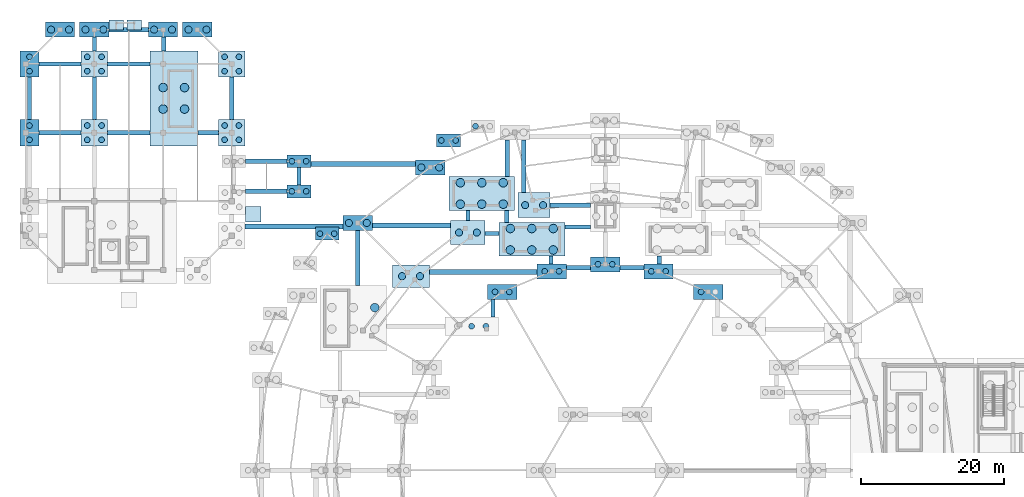
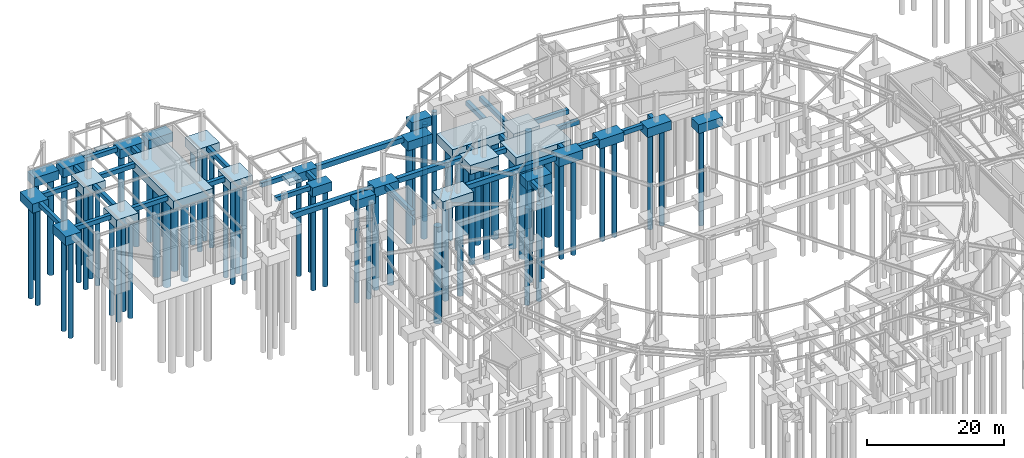
# One storey, part 4 of 55: 75 piles, 61 footings.
"""IFC4 building model written with IfcOpenShell, lengths in metres."""

from ifc_helpers import new_model, si_unit, direction, frame, origin, origin_2d, place, context, subcontext, project, spatial, rectangle, circle, extrude, material, material_profile, profile_set, type_object, element, save


model = new_model("IFC4")

# Units and contexts
model_context = context("Model", 3, precision=1e-05, world=origin(), true_north=direction((0.0, 1.0)))
body_context = subcontext(model_context, "Body", "Model", "MODEL_VIEW")
ifc_project = project(units=[si_unit("LENGTHUNIT", "METRE"), si_unit("AREAUNIT", "SQUARE_METRE"), si_unit("VOLUMEUNIT", "CUBIC_METRE"), si_unit("PLANEANGLEUNIT", "RADIAN"), si_unit("MASSUNIT", "GRAM", prefix="KILO")], contexts=[model_context])

# Site, building, storey
site_placement = place(None, origin())
site = spatial("IfcSite", under=ifc_project, at=site_placement, CompositionType="ELEMENT")
building_placement = place(site_placement, origin())
building = spatial("IfcBuilding", under=site, at=building_placement, Name="Almandine Court Research Institute", CompositionType="ELEMENT")
storey_placement = place(building_placement, frame((0.0, 0.0, -5.25)))
storey = spatial("IfcBuildingStorey", under=building, at=storey_placement, Name="B1", CompositionType="ELEMENT", Elevation=-5.25)

# Footings
ifc_material = material(Name="Concrete C35/45", Category="concrete")
footing_type_1 = type_object("IfcFootingType", Name="Cap-PC-05", PredefinedType="PILE_CAP", material=ifc_material)
for number, where, z_axis, x_axis, name in (
    (1, (44.199951171875, 95.0, -1.60009765625), (0.0, 0.0, 1.0), (1.0, 0.0, 0.0), "Reinforced Concrete Pile Cap 137"),
    (2, (44.199951171875, 99.199951171875, -1.60009765625), (0.0, 0.0, 1.0), (1.0, 0.0, 0.0), "Reinforced Concrete Pile Cap 141"),
):
    element("IfcFooting", number, at=place(storey_placement, frame(where, z_axis=z_axis, x_axis=x_axis)), inside=storey, type_object=footing_type_1, Name=name, PredefinedType="PILE_CAP", context=body_context, shape_type="SweptSolid", body=[
        extrude(rectangle(XDim=3.300048828125, YDim=1.800048828125, at=origin_2d()), origin(), (0.0, 0.0, 1.0), 1.60009765625),
    ])
footing_type_2 = type_object("IfcFootingType", Name="Cap-PC-18", PredefinedType="PILE_CAP", material=ifc_material)
for number, where, z_axis, x_axis, name in (
    (3, (72.60009765625, 80.94189453125, -1.60009765625), (0.0, 0.0, 1.0), (1.0, 0.0, 0.0), "Reinforced Concrete Pile Cap 108"),
    (4, (101.39990234375, 80.94189453125, -1.60009765625), (0.0, 0.0, 1.0), (1.0, 0.0, 0.0), "Reinforced Concrete Pile Cap 109"),
    (5, (79.5458984375, 83.819091796875, -1.60009765625), (0.0, 0.0, 1.0), (1.0, 0.0, 0.0), "Reinforced Concrete Pile Cap 116"),
    (6, (94.4541015625, 83.819091796875, -1.60009765625), (0.0, 0.0, 1.0), (1.0, 0.0, 0.0), "Reinforced Concrete Pile Cap 117"),
    (7, (87.0, 84.800048828125, -1.60009765625), (0.0, 0.0, 1.0), (1.0, 0.0, 0.0), "Reinforced Concrete Pile Cap 118"),
):
    element("IfcFooting", number, at=place(storey_placement, frame(where, z_axis=z_axis, x_axis=x_axis)), inside=storey, type_object=footing_type_2, Name=name, PredefinedType="PILE_CAP", context=body_context, shape_type="SweptSolid", body=[
        extrude(rectangle(XDim=4.10009765625, YDim=2.10009765625, at=origin_2d()), origin(), (0.0, 0.0, 1.0), 1.60009765625),
    ])
footing_type_3 = type_object("IfcFootingType", Name="Cap-PC-27", PredefinedType="PILE_CAP", material=ifc_material)
for number, where, z_axis, x_axis, name in (
    (8, (52.422119140625, 90.577880859375, -1.60009765625), (0.0, 0.0, 1.0), (1.0, 0.0, 0.0), "Reinforced Concrete Pile Cap 126"),
    (9, (62.550048828125, 98.34912109375, -1.60009765625), (0.0, 0.0, 1.0), (1.0, 0.0, 0.0), "Reinforced Concrete Pile Cap 138"),
    (10, (10.800048828125, 117.60009765625, -1.60009765625), (0.0, 0.0, 1.0), (1.0, 0.0, 0.0), "Reinforced Concrete Pile Cap 159"),
    (11, (15.60009765625, 117.60009765625, -1.60009765625), (0.0, 0.0, 1.0), (1.0, 0.0, 0.0), "Reinforced Concrete Pile Cap 160"),
    (12, (25.199951171875, 117.60009765625, -1.60009765625), (0.0, 0.0, 1.0), (1.0, 0.0, 0.0), "Reinforced Concrete Pile Cap 161"),
    (13, (30.0, 117.60009765625, -1.60009765625), (0.0, 0.0, 1.0), (1.0, 0.0, 0.0), "Reinforced Concrete Pile Cap 162"),
):
    element("IfcFooting", number, at=place(storey_placement, frame(where, z_axis=z_axis, x_axis=x_axis)), inside=storey, type_object=footing_type_3, Name=name, PredefinedType="PILE_CAP", context=body_context, shape_type="SweptSolid", body=[
        extrude(rectangle(XDim=4.10009765625, YDim=2.10009765625, at=origin_2d()), origin(), (0.0, 0.0, 1.0), 1.60009765625),
    ])
footing_type_4 = type_object("IfcFootingType", Name="Cap-PC-28", PredefinedType="PILE_CAP", material=ifc_material)
for number, where, z_axis, x_axis, name in (
    (14, (15.60009765625, 103.199951171875, -1.60009765625), (0.0, 0.0, 1.0), (1.0, 0.0, 0.0), "Reinforced Concrete Pile Cap 144"),
    (15, (34.800048828125, 103.199951171875, -1.60009765625), (0.0, 0.0, 1.0), (1.0, 0.0, 0.0), "Reinforced Concrete Pile Cap 146"),
    (16, (15.60009765625, 112.800048828125, -1.60009765625), (0.0, 0.0, 1.0), (1.0, 0.0, 0.0), "Reinforced Concrete Pile Cap 154"),
    (17, (34.800048828125, 112.800048828125, -1.60009765625), (0.0, 0.0, 1.0), (1.0, 0.0, 0.0), "Reinforced Concrete Pile Cap 155"),
):
    element("IfcFooting", number, at=place(storey_placement, frame(where, z_axis=z_axis, x_axis=x_axis)), inside=storey, type_object=footing_type_4, Name=name, PredefinedType="PILE_CAP", context=body_context, shape_type="SweptSolid", body=[
        extrude(rectangle(XDim=3.699951171875, YDim=3.699951171875, at=origin_2d()), origin(), (0.0, 0.0, 1.0), 1.60009765625),
    ])
footing_type_5 = type_object("IfcFootingType", Name="Cap-PC-33", PredefinedType="PILE_CAP", material=ifc_material)
footing_1_placement = place(storey_placement, frame((59.864013671875, 83.135009765625, -1.60009765625), z_axis=(0.0, 0.0, 1.0), x_axis=(1.0, 0.0, 0.0)))
element("IfcFooting", 18, at=footing_1_placement, inside=storey, type_object=footing_type_5, Name="Reinforced Concrete Pile Cap 110", PredefinedType="PILE_CAP", context=body_context, shape_type="SweptSolid", body=[
    extrude(rectangle(XDim=5.125, YDim=3.125, at=origin_2d()), origin(), (0.0, 0.0, 1.0), 1.60009765625),
])
footing_type_6 = type_object("IfcFootingType", Name="Cap-PC-35", PredefinedType="PILE_CAP", material=ifc_material)
for number, where, z_axis, x_axis, name in (
    (19, (76.75, 88.300048828125, -1.60009765625), (0.0, 0.0, 1.0), (1.0, 0.0, 0.0), "Reinforced Concrete Pile Cap 119"),
    (20, (69.75, 94.699951171875, -1.60009765625), (0.0, 0.0, 1.0), (1.0, 0.0, 0.0), "Reinforced Concrete Pile Cap 132"),
):
    element("IfcFooting", number, at=place(storey_placement, frame(where, z_axis=z_axis, x_axis=x_axis)), inside=storey, type_object=footing_type_6, Name=name, PredefinedType="PILE_CAP", context=body_context, shape_type="SweptSolid", body=[
        extrude(rectangle(XDim=9.199951171875, YDim=4.699951171875, at=origin_2d()), origin(), (0.0, 0.0, 1.0), 1.60009765625),
    ])
footing_type_7 = type_object("IfcFootingType", Name="Cap-PC-36", PredefinedType="PILE_CAP", material=ifc_material)
for number, where, z_axis, x_axis, name in (
    (21, (6.52490234375, 103.199951171875, -1.60009765625), (0.0, 0.0, 1.0), (1.0, 0.0, 0.0), "Reinforced Concrete Pile Cap 143"),
    (22, (6.52490234375, 112.800048828125, -1.60009765625), (0.0, 0.0, 1.0), (1.0, 0.0, 0.0), "Reinforced Concrete Pile Cap 153"),
):
    element("IfcFooting", number, at=place(storey_placement, frame(where, z_axis=z_axis, x_axis=x_axis)), inside=storey, type_object=footing_type_7, Name=name, PredefinedType="PILE_CAP", context=body_context, shape_type="SweptSolid", body=[
        extrude(rectangle(XDim=2.64990234375, YDim=3.699951171875, at=origin_2d()), origin(), (0.0, 0.0, 1.0), 1.60009765625),
    ])
footing_type_8 = type_object("IfcFootingType", Name="Cap-PC-37", PredefinedType="PILE_CAP", material=ifc_material)
footing_2_placement = place(storey_placement, frame((67.81201171875, 89.23388671875, -1.60009765625), z_axis=(0.0, 0.0, 1.0), x_axis=(1.0, 0.0, 0.0)))
element("IfcFooting", 23, at=footing_2_placement, inside=storey, type_object=footing_type_8, Name="Reinforced Concrete Pile Cap 123", PredefinedType="PILE_CAP", context=body_context, shape_type="SweptSolid", body=[
    extrude(rectangle(XDim=4.824951171875, YDim=3.35595703125, at=origin_2d()), origin(), (0.0, 0.0, 1.0), 1.60009765625),
])
footing_type_9 = type_object("IfcFootingType", Name="Cap-PC-39", PredefinedType="PILE_CAP", material=ifc_material)
footing_3_placement = place(storey_placement, frame((77.06689453125, 93.06689453125, -1.60009765625), z_axis=(0.0, 0.0, 1.0), x_axis=(1.0, 0.0, 0.0)))
element("IfcFooting", 24, at=footing_3_placement, inside=storey, type_object=footing_type_9, Name="Reinforced Concrete Pile Cap 128", PredefinedType="PILE_CAP", context=body_context, shape_type="SweptSolid", body=[
    extrude(rectangle(XDim=4.47509765625, YDim=3.5009765625, at=origin_2d()), origin(), (0.0, 0.0, 1.0), 1.60009765625),
])
footing_type_10 = type_object("IfcFootingType", Name="Cap-PC-42", PredefinedType="PILE_CAP", material=ifc_material)
footing_4_placement = place(storey_placement, frame((26.699951171875, 108.0, -1.60009765625), z_axis=(0.0, 0.0, 1.0), x_axis=(1.0, 0.0, 0.0)))
element("IfcFooting", 25, at=footing_4_placement, inside=storey, type_object=footing_type_10, Name="Reinforced Concrete Pile Cap 145", PredefinedType="PILE_CAP", context=body_context, shape_type="SweptSolid", body=[
    extrude(rectangle(XDim=6.699951171875, YDim=13.300048828125, at=origin_2d()), origin(), (0.0, 0.0, 1.0), 1.60009765625),
])
footing_type_11 = type_object("IfcFootingType", Name="Cap-PC-S01", PredefinedType="PILE_CAP", material=ifc_material)
for number, where, z_axis, x_axis, name in (
    (26, (65.10302734375, 102.114990234375, -1.60009765625), (0.0, 0.0, 1.0), (1.0, 0.0, 0.0), "Supplemental Threshold Pile Cap 020"),
    (27, (48.123046875, 89.0869140625, -1.60009765625), (0.0, 0.0, 1.0), (1.0, 0.0, 0.0), "Supplemental Threshold Pile Cap 021"),
):
    element("IfcFooting", number, at=place(storey_placement, frame(where, z_axis=z_axis, x_axis=x_axis)), inside=storey, type_object=footing_type_11, Name=name, PredefinedType="PILE_CAP", context=body_context, shape_type="SweptSolid", body=[
        extrude(rectangle(XDim=3.300048828125, YDim=1.800048828125, at=origin_2d()), origin(), (0.0, 0.0, 1.0), 1.60009765625),
    ])
footing_type_12 = type_object("IfcFootingType", Name="Pad-PF1", PredefinedType="PAD_FOOTING", material=ifc_material)
footing_5_placement = place(storey_placement, frame((37.800048828125, 91.800048828125, 4.5), z_axis=(0.0, 0.0, 1.0), x_axis=(1.0, 0.0, 0.0)))
element("IfcFooting", 28, at=footing_5_placement, inside=storey, type_object=footing_type_12, Name="Accessible Ramp Base Pad Footing 4", PredefinedType="PAD_FOOTING", context=body_context, shape_type="SweptSolid", body=[
    extrude(rectangle(XDim=2.199951171875, YDim=2.199951171875, at=origin_2d()), origin(), (0.0, 0.0, 1.0), 0.60009765625),
])
for number, where, z_axis, x_axis, name in (
    (29, (18.64990234375, 118.25, -0.60009765625), (0.0, 0.0, 1.0), (1.0, 0.0, 0.0), "Reinforced Concrete Pad Footing PAD-V3-N2-C1"),
    (30, (21.14990234375, 118.25, -0.60009765625), (0.0, 0.0, 1.0), (1.0, 0.0, 0.0), "Reinforced Concrete Pad Footing PAD-V3-N2-C2"),
):
    element("IfcFooting", number, at=place(storey_placement, frame(where, z_axis=z_axis, x_axis=x_axis)), inside=storey, type_object=footing_type_12, Name=name, PredefinedType="PAD_FOOTING", context=body_context, shape_type="SweptSolid", body=[
        extrude(rectangle(XDim=2.0, YDim=1.39990234375, at=origin_2d()), origin(), (0.0, 0.0, 1.0), 0.60009765625),
    ])

# Piles
ifc_material_profile_1 = material_profile(ifc_material, circle(Radius=0.5, at=origin_2d()), Name="BORED PILE D1000")
ifc_profile_set_1 = profile_set([ifc_material_profile_1], Name="Concrete C35/45")
pile_type_1 = type_object("IfcPileType", Name="Pile-BP-1000", PredefinedType="BORED", material=ifc_profile_set_1)
for number, where, z_axis, x_axis, name in (
    (31, (58.614013671875, 83.135009765625, -1.5), (0.0, 0.0, -1.0), (1.0, 0.0, 0.0), "Bored Pile 110-1"),
    (32, (61.114013671875, 83.135009765625, -1.5), (0.0, 0.0, -1.0), (1.0, 0.0, 0.0), "Bored Pile 110-2"),
    (33, (66.56201171875, 89.23388671875, -1.5), (0.0, 0.0, -1.0), (1.0, 0.0, 0.0), "Bored Pile 123-1"),
    (34, (69.06201171875, 89.23388671875, -1.5), (0.0, 0.0, -1.0), (1.0, 0.0, 0.0), "Bored Pile 123-2"),
    (35, (51.172119140625, 90.577880859375, -1.5), (0.0, 0.0, -1.0), (1.0, 0.0, 0.0), "Bored Pile 126-1"),
    (36, (53.672119140625, 90.577880859375, -1.5), (0.0, 0.0, -1.0), (1.0, 0.0, 0.0), "Bored Pile 126-2"),
    (37, (75.81689453125, 93.06689453125, -1.5), (0.0, 0.0, -1.0), (1.0, 0.0, 0.0), "Bored Pile 128-1"),
    (38, (78.31689453125, 93.06689453125, -1.5), (0.0, 0.0, -1.0), (1.0, 0.0, 0.0), "Bored Pile 128-2"),
    (39, (61.300048828125, 98.34912109375, -1.5), (0.0, 0.0, -1.0), (1.0, 0.0, 0.0), "Bored Pile 138-1"),
    (40, (63.800048828125, 98.34912109375, -1.5), (0.0, 0.0, -1.0), (1.0, 0.0, 0.0), "Bored Pile 138-2"),
    (41, (9.550048828125, 117.60009765625, -1.5), (0.0, 0.0, -1.0), (1.0, 0.0, 0.0), "Bored Pile 159-1"),
    (42, (12.050048828125, 117.60009765625, -1.5), (0.0, 0.0, -1.0), (1.0, 0.0, 0.0), "Bored Pile 159-2"),
    (43, (14.35009765625, 117.60009765625, -1.5), (0.0, 0.0, -1.0), (1.0, 0.0, 0.0), "Bored Pile 160-1"),
    (44, (16.85009765625, 117.60009765625, -1.5), (0.0, 0.0, -1.0), (1.0, 0.0, 0.0), "Bored Pile 160-2"),
    (45, (23.949951171875, 117.60009765625, -1.5), (0.0, 0.0, -1.0), (1.0, 0.0, 0.0), "Bored Pile 161-1"),
    (46, (26.449951171875, 117.60009765625, -1.5), (0.0, 0.0, -1.0), (1.0, 0.0, 0.0), "Bored Pile 161-2"),
    (47, (28.75, 117.60009765625, -1.5), (0.0, 0.0, -1.0), (1.0, 0.0, 0.0), "Bored Pile 162-1"),
    (48, (31.25, 117.60009765625, -1.5), (0.0, 0.0, -1.0), (1.0, 0.0, 0.0), "Bored Pile 162-2"),
):
    element("IfcPile", number, at=place(storey_placement, frame(where, z_axis=z_axis, x_axis=x_axis)), inside=storey, type_object=pile_type_1, Name=name, PredefinedType="BORED", context=body_context, shape_type="SweptSolid", body=[
        extrude(circle(Radius=0.5, at=origin_2d()), origin(), (0.0, 0.0, 1.0), 17.25),
    ])
ifc_material_profile_2 = material_profile(ifc_material, circle(Radius=0.60009765625, at=origin_2d()), Name="BORED PILE D1200")
ifc_profile_set_2 = profile_set([ifc_material_profile_2], Name="Concrete C35/45")
pile_type_2 = type_object("IfcPileType", Name="Pile-BP-1200", PredefinedType="BORED", material=ifc_profile_set_2)
for number, where, z_axis, x_axis, name in (
    (49, (54.797119140625, 78.75, -1.5), (0.0, 0.0, -1.0), (1.0, 0.0, 0.0), "Bored Pile 101-6"),
    (50, (73.75, 86.800048828125, -1.5), (0.0, 0.0, -1.0), (1.0, 0.0, 0.0), "Bored Pile 119-1"),
    (51, (73.75, 89.800048828125, -1.5), (0.0, 0.0, -1.0), (1.0, 0.0, 0.0), "Bored Pile 119-2"),
    (52, (76.75, 86.800048828125, -1.5), (0.0, 0.0, -1.0), (1.0, 0.0, 0.0), "Bored Pile 119-3"),
    (53, (76.75, 89.800048828125, -1.5), (0.0, 0.0, -1.0), (1.0, 0.0, 0.0), "Bored Pile 119-4"),
    (54, (79.75, 86.800048828125, -1.5), (0.0, 0.0, -1.0), (1.0, 0.0, 0.0), "Bored Pile 119-5"),
    (55, (79.75, 89.800048828125, -1.5), (0.0, 0.0, -1.0), (1.0, 0.0, 0.0), "Bored Pile 119-6"),
    (56, (66.75, 93.199951171875, -1.5), (0.0, 0.0, -1.0), (1.0, 0.0, 0.0), "Bored Pile 132-1"),
    (57, (66.75, 96.199951171875, -1.5), (0.0, 0.0, -1.0), (1.0, 0.0, 0.0), "Bored Pile 132-2"),
    (58, (69.75, 93.199951171875, -1.5), (0.0, 0.0, -1.0), (1.0, 0.0, 0.0), "Bored Pile 132-3"),
    (59, (69.75, 96.199951171875, -1.5), (0.0, 0.0, -1.0), (1.0, 0.0, 0.0), "Bored Pile 132-4"),
    (60, (72.75, 93.199951171875, -1.5), (0.0, 0.0, -1.0), (1.0, 0.0, 0.0), "Bored Pile 132-5"),
    (61, (72.75, 96.199951171875, -1.5), (0.0, 0.0, -1.0), (1.0, 0.0, 0.0), "Bored Pile 132-6"),
    (62, (25.199951171875, 106.5, -1.5), (0.0, 0.0, -1.0), (1.0, 0.0, 0.0), "Bored Pile 145-1"),
    (63, (25.199951171875, 109.5, -1.5), (0.0, 0.0, -1.0), (1.0, 0.0, 0.0), "Bored Pile 145-2"),
    (64, (28.199951171875, 106.5, -1.5), (0.0, 0.0, -1.0), (1.0, 0.0, 0.0), "Bored Pile 145-3"),
    (65, (28.199951171875, 109.5, -1.5), (0.0, 0.0, -1.0), (1.0, 0.0, 0.0), "Bored Pile 145-4"),
):
    element("IfcPile", number, at=place(storey_placement, frame(where, z_axis=z_axis, x_axis=x_axis)), inside=storey, type_object=pile_type_2, Name=name, PredefinedType="BORED", context=body_context, shape_type="SweptSolid", body=[
        extrude(circle(Radius=0.60009765625, at=origin_2d()), origin(), (0.0, 0.0, 1.0), 17.25),
    ])
ifc_material_profile_3 = material_profile(ifc_material, circle(Radius=0.39990234375, at=origin_2d()), Name="BORED PILE D800")
ifc_profile_set_3 = profile_set([ifc_material_profile_3], Name="Concrete C35/45")
pile_type_3 = type_object("IfcPileType", Name="Pile-BP-800", PredefinedType="BORED", material=ifc_profile_set_3)
for number, where, z_axis, x_axis, name in (
    (66, (68.325927734375, 76.138916015625, -1.5), (0.0, 0.0, -1.0), (1.0, 0.0, 0.0), "Bored Pile 104-2"),
    (67, (70.325927734375, 76.138916015625, -1.5), (0.0, 0.0, -1.0), (1.0, 0.0, 0.0), "Bored Pile 104-3"),
    (68, (71.60009765625, 80.94189453125, -1.5), (0.0, 0.0, -1.0), (1.0, 0.0, 0.0), "Bored Pile 108-1"),
    (69, (73.60009765625, 80.94189453125, -1.5), (0.0, 0.0, -1.0), (1.0, 0.0, 0.0), "Bored Pile 108-2"),
    (70, (100.39990234375, 80.94189453125, -1.5), (0.0, 0.0, -1.0), (1.0, 0.0, 0.0), "Bored Pile 109-1"),
    (71, (78.5458984375, 83.819091796875, -1.5), (0.0, 0.0, -1.0), (1.0, 0.0, 0.0), "Bored Pile 116-1"),
    (72, (80.5458984375, 83.819091796875, -1.5), (0.0, 0.0, -1.0), (1.0, 0.0, 0.0), "Bored Pile 116-2"),
    (73, (93.4541015625, 83.819091796875, -1.5), (0.0, 0.0, -1.0), (1.0, 0.0, 0.0), "Bored Pile 117-1"),
    (74, (95.4541015625, 83.819091796875, -1.5), (0.0, 0.0, -1.0), (1.0, 0.0, 0.0), "Bored Pile 117-2"),
    (75, (86.0, 84.800048828125, -1.5), (0.0, 0.0, -1.0), (1.0, 0.0, 0.0), "Bored Pile 118-1"),
    (76, (88.0, 84.800048828125, -1.5), (0.0, 0.0, -1.0), (1.0, 0.0, 0.0), "Bored Pile 118-2"),
    (77, (43.199951171875, 95.0, -1.5), (0.0, 0.0, -1.0), (1.0, 0.0, 0.0), "Bored Pile 137-1"),
    (78, (45.199951171875, 95.0, -1.5), (0.0, 0.0, -1.0), (1.0, 0.0, 0.0), "Bored Pile 137-2"),
    (79, (43.199951171875, 99.199951171875, -1.5), (0.0, 0.0, -1.0), (1.0, 0.0, 0.0), "Bored Pile 141-1"),
    (80, (45.199951171875, 99.199951171875, -1.5), (0.0, 0.0, -1.0), (1.0, 0.0, 0.0), "Bored Pile 141-2"),
    (81, (6.52490234375, 102.199951171875, -1.5), (0.0, 0.0, -1.0), (1.0, 0.0, 0.0), "Bored Pile 143-1"),
    (82, (6.52490234375, 104.199951171875, -1.5), (0.0, 0.0, -1.0), (1.0, 0.0, 0.0), "Bored Pile 143-2"),
    (83, (14.60009765625, 102.199951171875, -1.5), (0.0, 0.0, -1.0), (1.0, 0.0, 0.0), "Bored Pile 144-1"),
    (84, (14.60009765625, 104.199951171875, -1.5), (0.0, 0.0, -1.0), (1.0, 0.0, 0.0), "Bored Pile 144-2"),
    (85, (16.60009765625, 102.199951171875, -1.5), (0.0, 0.0, -1.0), (1.0, 0.0, 0.0), "Bored Pile 144-3"),
    (86, (16.60009765625, 104.199951171875, -1.5), (0.0, 0.0, -1.0), (1.0, 0.0, 0.0), "Bored Pile 144-4"),
    (87, (33.800048828125, 102.199951171875, -1.5), (0.0, 0.0, -1.0), (1.0, 0.0, 0.0), "Bored Pile 146-1"),
    (88, (33.800048828125, 104.199951171875, -1.5), (0.0, 0.0, -1.0), (1.0, 0.0, 0.0), "Bored Pile 146-2"),
    (89, (35.800048828125, 102.199951171875, -1.5), (0.0, 0.0, -1.0), (1.0, 0.0, 0.0), "Bored Pile 146-3"),
    (90, (35.800048828125, 104.199951171875, -1.5), (0.0, 0.0, -1.0), (1.0, 0.0, 0.0), "Bored Pile 146-4"),
    (91, (6.52490234375, 111.800048828125, -1.5), (0.0, 0.0, -1.0), (1.0, 0.0, 0.0), "Bored Pile 153-1"),
    (92, (6.52490234375, 113.800048828125, -1.5), (0.0, 0.0, -1.0), (1.0, 0.0, 0.0), "Bored Pile 153-2"),
    (93, (14.60009765625, 111.800048828125, -1.5), (0.0, 0.0, -1.0), (1.0, 0.0, 0.0), "Bored Pile 154-1"),
    (94, (14.60009765625, 113.800048828125, -1.5), (0.0, 0.0, -1.0), (1.0, 0.0, 0.0), "Bored Pile 154-2"),
    (95, (16.60009765625, 111.800048828125, -1.5), (0.0, 0.0, -1.0), (1.0, 0.0, 0.0), "Bored Pile 154-3"),
    (96, (16.60009765625, 113.800048828125, -1.5), (0.0, 0.0, -1.0), (1.0, 0.0, 0.0), "Bored Pile 154-4"),
    (97, (33.800048828125, 111.800048828125, -1.5), (0.0, 0.0, -1.0), (1.0, 0.0, 0.0), "Bored Pile 155-1"),
    (98, (33.800048828125, 113.800048828125, -1.5), (0.0, 0.0, -1.0), (1.0, 0.0, 0.0), "Bored Pile 155-2"),
    (99, (35.800048828125, 111.800048828125, -1.5), (0.0, 0.0, -1.0), (1.0, 0.0, 0.0), "Bored Pile 155-3"),
    (100, (35.800048828125, 113.800048828125, -1.5), (0.0, 0.0, -1.0), (1.0, 0.0, 0.0), "Bored Pile 155-4"),
    (101, (68.875, 104.092041015625, -1.5), (0.0, 0.0, -1.0), (1.0, 0.0, 0.0), "Supplemental Bored Pile 019-1"),
    (102, (64.10302734375, 102.114990234375, -1.5), (0.0, 0.0, -1.0), (1.0, 0.0, 0.0), "Supplemental Bored Pile 020-1"),
    (103, (66.10302734375, 102.114990234375, -1.5), (0.0, 0.0, -1.0), (1.0, 0.0, 0.0), "Supplemental Bored Pile 020-2"),
    (104, (47.123046875, 89.0869140625, -1.5), (0.0, 0.0, -1.0), (1.0, 0.0, 0.0), "Supplemental Bored Pile 021-1"),
    (105, (49.123046875, 89.0869140625, -1.5), (0.0, 0.0, -1.0), (1.0, 0.0, 0.0), "Supplemental Bored Pile 021-2"),
):
    element("IfcPile", number, at=place(storey_placement, frame(where, z_axis=z_axis, x_axis=x_axis)), inside=storey, type_object=pile_type_3, Name=name, PredefinedType="BORED", context=body_context, shape_type="SweptSolid", body=[
        extrude(circle(Radius=0.39990234375, at=origin_2d()), origin(), (0.0, 0.0, 1.0), 17.25),
    ])

# Footings
ifc_material_profile_4 = material_profile(ifc_material, rectangle(XDim=0.60009765625, YDim=0.800048828125, at=origin_2d()), Name="RC TIE 600x800")
ifc_profile_set_4 = profile_set([ifc_material_profile_4], Name="Concrete C35/45")
footing_type_13 = type_object("IfcFootingType", Name="TieBeam-TB1", PredefinedType="FOOTING_BEAM", material=ifc_profile_set_4)
for number, where, z_axis, x_axis, name in (
    (106, (7.85009765625, 103.199951171875, -0.39990234375), (1.0, 0.0, 0.0), (0.0, 1.0, 0.0), "Seismic Foundation Tie Beam 004"),
    (107, (7.85009765625, 112.800048828125, -0.39990234375), (1.0, 0.0, 0.0), (0.0, 1.0, 0.0), "Seismic Foundation Tie Beam 005"),
):
    element("IfcFooting", number, at=place(storey_placement, frame(where, z_axis=z_axis, x_axis=x_axis)), inside=storey, type_object=footing_type_13, Name=name, PredefinedType="FOOTING_BEAM", context=body_context, shape_type="SweptSolid", body=[
        extrude(rectangle(XDim=0.60009765625, YDim=0.800048828125, at=origin_2d()), origin(), (0.0, 0.0, 1.0), 5.89990234375),
    ])
for number, where, z_axis, x_axis, name in (
    (108, (17.449951171875, 103.199951171875, -0.39990234375), (1.0, 0.0, 0.0), (0.0, 1.0, 0.0), "Seismic Foundation Tie Beam 007"),
    (109, (17.449951171875, 112.800048828125, -0.39990234375), (1.0, 0.0, 0.0), (0.0, 1.0, 0.0), "Seismic Foundation Tie Beam 008"),
):
    element("IfcFooting", number, at=place(storey_placement, frame(where, z_axis=z_axis, x_axis=x_axis)), inside=storey, type_object=footing_type_13, Name=name, PredefinedType="FOOTING_BEAM", context=body_context, shape_type="SweptSolid", body=[
        extrude(rectangle(XDim=0.60009765625, YDim=0.800048828125, at=origin_2d()), origin(), (0.0, 0.0, 1.0), 5.900146484375),
    ])
footing_6_placement = place(storey_placement, frame((17.64990234375, 117.60009765625, -0.39990234375), z_axis=(1.0, 0.0, 0.0), x_axis=(0.0, 1.0, 0.0)))
element("IfcFooting", 110, at=footing_6_placement, inside=storey, type_object=footing_type_13, Name="Seismic Foundation Tie Beam 009", PredefinedType="FOOTING_BEAM", context=body_context, shape_type="SweptSolid", body=[
    extrude(rectangle(XDim=0.60009765625, YDim=0.800048828125, at=origin_2d()), origin(), (0.0, 0.0, 1.0), 5.5),
])
footing_7_placement = place(storey_placement, frame((30.050048828125, 103.199951171875, -0.39990234375), z_axis=(1.0, 0.0, 0.0), x_axis=(0.0, 1.0, 0.0)))
element("IfcFooting", 111, at=footing_7_placement, inside=storey, type_object=footing_type_13, Name="Seismic Foundation Tie Beam 013", PredefinedType="FOOTING_BEAM", context=body_context, shape_type="SweptSolid", body=[
    extrude(rectangle(XDim=0.60009765625, YDim=0.800048828125, at=origin_2d()), origin(), (0.0, 0.0, 1.0), 2.89990234375),
])
for number, where, z_axis, x_axis, name in (
    (112, (36.75, 95.0, -0.39990234375), (1.0, 0.0, 0.0), (0.0, 1.0, 0.0), "Seismic Foundation Tie Beam 016"),
    (113, (36.75, 99.199951171875, -0.39990234375), (1.0, 0.0, 0.0), (0.0, 1.0, 0.0), "Seismic Foundation Tie Beam 019"),
):
    element("IfcFooting", number, at=place(storey_placement, frame(where, z_axis=z_axis, x_axis=x_axis)), inside=storey, type_object=footing_type_13, Name=name, PredefinedType="FOOTING_BEAM", context=body_context, shape_type="SweptSolid", body=[
        extrude(rectangle(XDim=0.60009765625, YDim=0.800048828125, at=origin_2d()), origin(), (0.0, 0.0, 1.0), 5.800048828125),
    ])
footing_8_placement = place(storey_placement, frame((70.22509765625, 89.10302734375, -0.39990234375), z_axis=(1.0, 0.0, 0.0), x_axis=(0.0, 1.0, 0.0)))
element("IfcFooting", 114, at=footing_8_placement, inside=storey, type_object=footing_type_13, Name="Seismic Foundation Tie Beam 033", PredefinedType="FOOTING_BEAM", context=body_context, shape_type="SweptSolid", body=[
    extrude(rectangle(XDim=0.60009765625, YDim=0.800048828125, at=origin_2d()), origin(), (0.0, 0.0, 1.0), 1.9248046875),
])
footing_9_placement = place(storey_placement, frame((81.35009765625, 90.0, -0.39990234375), z_axis=(1.0, 0.0, 0.0), x_axis=(0.0, 1.0, 0.0)))
element("IfcFooting", 115, at=footing_9_placement, inside=storey, type_object=footing_type_13, Name="Seismic Foundation Tie Beam 035", PredefinedType="FOOTING_BEAM", context=body_context, shape_type="SweptSolid", body=[
    extrude(rectangle(XDim=0.60009765625, YDim=0.800048828125, at=origin_2d()), origin(), (0.0, 0.0, 1.0), 3.599853515625),
])
footing_10_placement = place(storey_placement, frame((79.304931640625, 93.06689453125, -0.39990234375), z_axis=(1.0, 0.0, 0.0), x_axis=(0.0, 1.0, 0.0)))
element("IfcFooting", 116, at=footing_10_placement, inside=storey, type_object=footing_type_13, Name="Seismic Foundation Tie Beam 036", PredefinedType="FOOTING_BEAM", context=body_context, shape_type="SweptSolid", body=[
    extrude(rectangle(XDim=0.60009765625, YDim=0.800048828125, at=origin_2d()), origin(), (0.0, 0.0, 1.0), 5.64501953125),
])
for number, where, z_axis, x_axis, name in (
    (117, (81.595947265625, 84.30908203125, -0.39990234375), (1.0, 0.0, 0.0), (0.0, 1.0, 0.0), "Seismic Foundation Tie Beam 040"),
    (118, (89.050048828125, 84.30908203125, -0.39990234375), (1.0, 0.0, 0.0), (0.0, 1.0, 0.0), "Seismic Foundation Tie Beam 048"),
):
    element("IfcFooting", number, at=place(storey_placement, frame(where, z_axis=z_axis, x_axis=x_axis)), inside=storey, type_object=footing_type_13, Name=name, PredefinedType="FOOTING_BEAM", context=body_context, shape_type="SweptSolid", body=[
        extrude(rectangle(XDim=0.60009765625, YDim=0.800048828125, at=origin_2d()), origin(), (0.0, 0.0, 1.0), 3.35400390625),
    ])
footing_11_placement = place(storey_placement, frame((71.30810546875, 77.4150390625, -0.39990234375), z_axis=(0.0, 1.0, 0.0), x_axis=(-1.0, 0.0, 0.0)))
element("IfcFooting", 119, at=footing_11_placement, inside=storey, type_object=footing_type_13, Name="Seismic Foundation Tie Beam 171", PredefinedType="FOOTING_BEAM", context=body_context, shape_type="SweptSolid", body=[
    extrude(rectangle(XDim=0.60009765625, YDim=0.800048828125, at=origin_2d()), origin(), (0.0, 0.0, 1.0), 2.47705078125),
])
footing_12_placement = place(storey_placement, frame((52.422119140625, 81.85009765625, -0.39990234375), z_axis=(0.0, 1.0, 0.0), x_axis=(-1.0, 0.0, 0.0)))
element("IfcFooting", 120, at=footing_12_placement, inside=storey, type_object=footing_type_13, Name="Seismic Foundation Tie Beam 173", PredefinedType="FOOTING_BEAM", context=body_context, shape_type="SweptSolid", body=[
    extrude(rectangle(XDim=0.60009765625, YDim=0.800048828125, at=origin_2d()), origin(), (0.0, 0.0, 1.0), 7.677978515625),
])
for number, where, z_axis, x_axis, name in (
    (121, (79.423095703125, 84.868896484375, -0.39990234375), (0.0, 1.0, 0.0), (-1.0, 0.0, 0.0), "Seismic Foundation Tie Beam 175"),
    (122, (94.576904296875, 84.868896484375, -0.39990234375), (0.0, 1.0, 0.0), (-1.0, 0.0, 0.0), "Seismic Foundation Tie Beam 176"),
):
    element("IfcFooting", number, at=place(storey_placement, frame(where, z_axis=z_axis, x_axis=x_axis)), inside=storey, type_object=footing_type_13, Name=name, PredefinedType="FOOTING_BEAM", context=body_context, shape_type="SweptSolid", body=[
        extrude(rectangle(XDim=0.60009765625, YDim=0.800048828125, at=origin_2d()), origin(), (0.0, 0.0, 1.0), 1.0810546875),
    ])
footing_13_placement = place(storey_placement, frame((73.25, 90.64990234375, -0.39990234375), z_axis=(0.0, 1.0, 0.0), x_axis=(-1.0, 0.0, 0.0)))
element("IfcFooting", 123, at=footing_13_placement, inside=storey, type_object=footing_type_13, Name="Seismic Foundation Tie Beam 180", PredefinedType="FOOTING_BEAM", context=body_context, shape_type="SweptSolid", body=[
    extrude(rectangle(XDim=0.60009765625, YDim=0.800048828125, at=origin_2d()), origin(), (0.0, 0.0, 1.0), 1.7001953125),
])
footing_14_placement = place(storey_placement, frame((67.81201171875, 90.912109375, -0.39990234375), z_axis=(0.0, 1.0, 0.0), x_axis=(-1.0, 0.0, 0.0)))
element("IfcFooting", 124, at=footing_14_placement, inside=storey, type_object=footing_type_13, Name="Seismic Foundation Tie Beam 185", PredefinedType="FOOTING_BEAM", context=body_context, shape_type="SweptSolid", body=[
    extrude(rectangle(XDim=0.60009765625, YDim=0.800048828125, at=origin_2d()), origin(), (0.0, 0.0, 1.0), 1.43798828125),
])
footing_15_placement = place(storey_placement, frame((75.612060546875, 94.818115234375, -0.39990234375), z_axis=(0.0, 1.0, 0.0), x_axis=(-1.0, 0.0, 0.0)))
element("IfcFooting", 125, at=footing_15_placement, inside=storey, type_object=footing_type_13, Name="Seismic Foundation Tie Beam 188", PredefinedType="FOOTING_BEAM", context=body_context, shape_type="SweptSolid", body=[
    extrude(rectangle(XDim=0.60009765625, YDim=0.800048828125, at=origin_2d()), origin(), (0.0, 0.0, 1.0), 7.365966796875),
])
footing_16_placement = place(storey_placement, frame((73.322021484375, 97.050048828125, -0.39990234375), z_axis=(0.0, 1.0, 0.0), x_axis=(-1.0, 0.0, 0.0)))
element("IfcFooting", 126, at=footing_16_placement, inside=storey, type_object=footing_type_13, Name="Seismic Foundation Tie Beam 195", PredefinedType="FOOTING_BEAM", context=body_context, shape_type="SweptSolid", body=[
    extrude(rectangle(XDim=0.60009765625, YDim=0.800048828125, at=origin_2d()), origin(), (0.0, 0.0, 1.0), 5.134033203125),
])
footing_17_placement = place(storey_placement, frame((44.199951171875, 95.89990234375, -0.39990234375), z_axis=(0.0, 1.0, 0.0), x_axis=(-1.0, 0.0, 0.0)))
element("IfcFooting", 127, at=footing_17_placement, inside=storey, type_object=footing_type_13, Name="Seismic Foundation Tie Beam 197", PredefinedType="FOOTING_BEAM", context=body_context, shape_type="SweptSolid", body=[
    extrude(rectangle(XDim=0.60009765625, YDim=0.800048828125, at=origin_2d()), origin(), (0.0, 0.0, 1.0), 2.400146484375),
])
for number, where, z_axis, x_axis, name in (
    (128, (6.52490234375, 105.050048828125, -0.39990234375), (0.0, 1.0, 0.0), (-1.0, 0.0, 0.0), "Seismic Foundation Tie Beam 199"),
    (129, (15.60009765625, 105.050048828125, -0.39990234375), (0.0, 1.0, 0.0), (-1.0, 0.0, 0.0), "Seismic Foundation Tie Beam 200"),
    (130, (34.800048828125, 105.050048828125, -0.39990234375), (0.0, 1.0, 0.0), (-1.0, 0.0, 0.0), "Seismic Foundation Tie Beam 201"),
):
    element("IfcFooting", number, at=place(storey_placement, frame(where, z_axis=z_axis, x_axis=x_axis)), inside=storey, type_object=footing_type_13, Name=name, PredefinedType="FOOTING_BEAM", context=body_context, shape_type="SweptSolid", body=[
        extrude(rectangle(XDim=0.60009765625, YDim=0.800048828125, at=origin_2d()), origin(), (0.0, 0.0, 1.0), 5.89990234375),
    ])
for number, where, z_axis, x_axis, name in (
    (131, (25.300048828125, 114.64990234375, -0.39990234375), (0.0, 1.0, 0.0), (-1.0, 0.0, 0.0), "Seismic Foundation Tie Beam 205"),
    (132, (15.60009765625, 114.64990234375, -0.39990234375), (0.0, 1.0, 0.0), (-1.0, 0.0, 0.0), "Seismic Foundation Tie Beam 206"),
):
    element("IfcFooting", number, at=place(storey_placement, frame(where, z_axis=z_axis, x_axis=x_axis)), inside=storey, type_object=footing_type_13, Name=name, PredefinedType="FOOTING_BEAM", context=body_context, shape_type="SweptSolid", body=[
        extrude(rectangle(XDim=0.60009765625, YDim=0.800048828125, at=origin_2d()), origin(), (0.0, 0.0, 1.0), 1.900146484375),
    ])
ifc_material_profile_5 = material_profile(ifc_material, rectangle(XDim=0.699951171875, YDim=0.89990234375, at=origin_2d()), Name="RC TIE 700x900")
ifc_profile_set_5 = profile_set([ifc_material_profile_5], Name="Concrete C35/45")
footing_type_14 = type_object("IfcFootingType", Name="TieBeam-TB2", PredefinedType="FOOTING_BEAM", material=ifc_profile_set_5)
footing_18_placement = place(storey_placement, frame((36.64990234375, 90.089111328125, -0.35009765625), z_axis=(1.0, 0.0, 0.0), x_axis=(0.0, 1.0, 0.0)))
element("IfcFooting", 133, at=footing_18_placement, inside=storey, type_object=footing_type_14, Name="Seismic Foundation Tie Beam 015", PredefinedType="FOOTING_BEAM", context=body_context, shape_type="SweptSolid", body=[
    extrude(rectangle(XDim=0.699951171875, YDim=0.89990234375, at=origin_2d()), origin(), (0.0, 0.0, 1.0), 13.72216796875),
])
footing_19_placement = place(storey_placement, frame((45.85009765625, 98.85009765625, -0.35009765625), z_axis=(1.0, 0.0, 0.0), x_axis=(0.0, 1.0, 0.0)))
element("IfcFooting", 134, at=footing_19_placement, inside=storey, type_object=footing_type_14, Name="Seismic Foundation Tie Beam 022", PredefinedType="FOOTING_BEAM", context=body_context, shape_type="SweptSolid", body=[
    extrude(rectangle(XDim=0.699951171875, YDim=0.89990234375, at=origin_2d()), origin(), (0.0, 0.0, 1.0), 14.64990234375),
])
footing_20_placement = place(storey_placement, frame((54.471923828125, 90.219970703125, -0.35009765625), z_axis=(1.0, 0.0, 0.0), x_axis=(0.0, 1.0, 0.0)))
element("IfcFooting", 135, at=footing_20_placement, inside=storey, type_object=footing_type_14, Name="Seismic Foundation Tie Beam 029", PredefinedType="FOOTING_BEAM", context=body_context, shape_type="SweptSolid", body=[
    extrude(rectangle(XDim=0.699951171875, YDim=0.89990234375, at=origin_2d()), origin(), (0.0, 0.0, 1.0), 10.927978515625),
])
footing_21_placement = place(storey_placement, frame((62.427001953125, 83.73291015625, -0.35009765625), z_axis=(1.0, 0.0, 0.0), x_axis=(0.0, 1.0, 0.0)))
element("IfcFooting", 136, at=footing_21_placement, inside=storey, type_object=footing_type_14, Name="Seismic Foundation Tie Beam 031", PredefinedType="FOOTING_BEAM", context=body_context, shape_type="SweptSolid", body=[
    extrude(rectangle(XDim=0.699951171875, YDim=0.89990234375, at=origin_2d()), origin(), (0.0, 0.0, 1.0), 15.069091796875),
])

save(model, "model.ifc")
